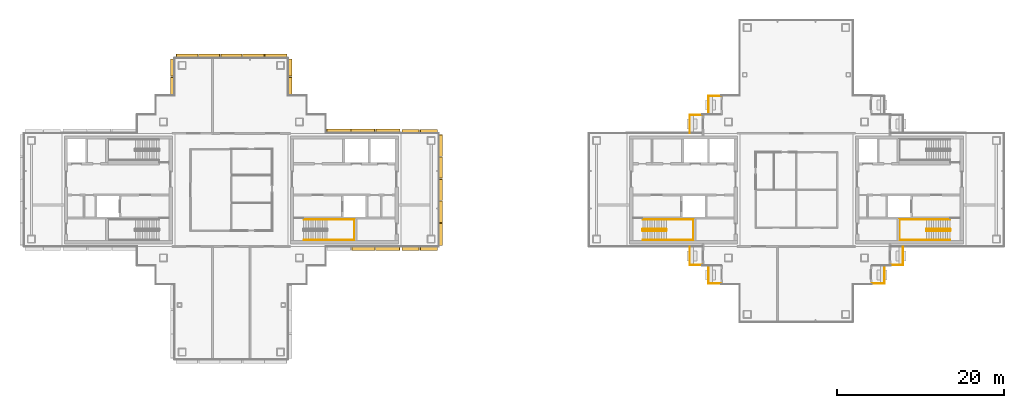
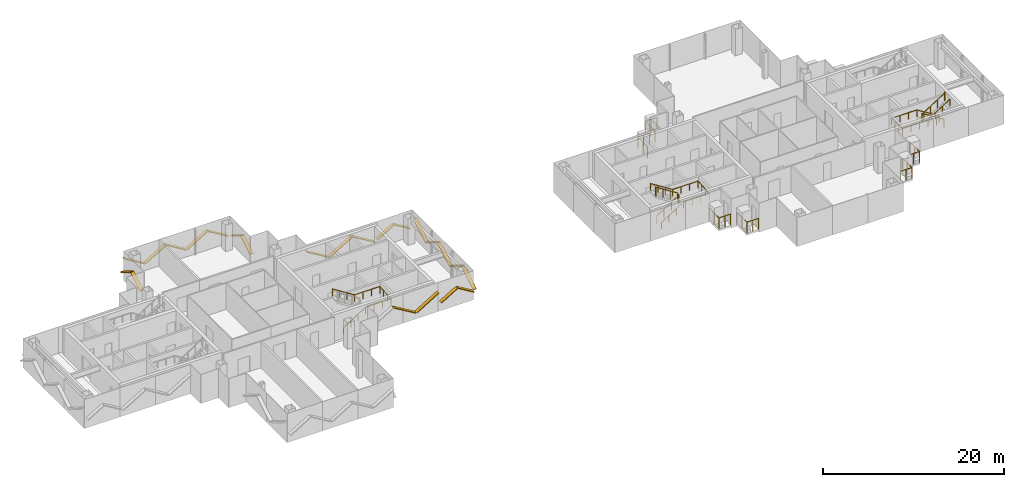
# One storey, part 15 of 17: 23 shading devices, 11 railings.
"""IFC4 building model written with IfcOpenShell, lengths in metres."""

from ifc_helpers import new_model, si_unit, direction, frame, origin, origin_2d, place, context, subcontext, project, spatial, rectangle, circle, extrude, material, material_profile, profile_set, type_object, element, save


model = new_model("IFC4")

# Units and contexts
model_context = context("Model", 3, precision=1e-05, world=origin(), true_north=direction((0.0, 1.0)))
body_context = subcontext(model_context, "Body", "Model", "MODEL_VIEW")
ifc_project = project(units=[si_unit("LENGTHUNIT", "METRE"), si_unit("AREAUNIT", "SQUARE_METRE"), si_unit("VOLUMEUNIT", "CUBIC_METRE"), si_unit("PLANEANGLEUNIT", "RADIAN"), si_unit("MASSUNIT", "GRAM", prefix="KILO")], contexts=[model_context])

# Site, building, storey
site_placement = place(None, origin())
site = spatial("IfcSite", under=ifc_project, at=site_placement, CompositionType="ELEMENT")
building_placement = place(site_placement, origin())
building = spatial("IfcBuilding", under=site, at=building_placement, Name="Shamsa Quay Exchange Towers", CompositionType="ELEMENT")
storey_placement = place(building_placement, frame((0.0, 0.0, 257.699951171875)))
storey = spatial("IfcBuildingStorey", under=building, at=storey_placement, Name="L62", CompositionType="ELEMENT", Elevation=257.699951171875)

# Railings
ifc_material_1 = material(Name="Steel S355, black powder-coated", Category="steel")
railing_type_1 = type_object("IfcRailingType", Name="BALCONY GUARD 1500", PredefinedType="GUARDRAIL", material=ifc_material_1)
for number, where, name in (
    (1, (24.72900390625, 11.199951171875, 0.0), "Balcony guard T2-PKEN L62"),
    (2, (22.47900390625, 8.949951171875, 0.0), "Balcony guard T2-PKEN L62"),
):
    element("IfcRailing", number, at=place(storey_placement, frame(where)), inside=storey, type_object=railing_type_1, Name=name, PredefinedType="GUARDRAIL", context=body_context, shape_type="SweptSolid", body=[
        extrude(circle(Radius=0.02392578125, at=origin_2d()), frame((0.0, 0.0, 1.47607421875), z_axis=(-1.0, 0.0, 0.0), x_axis=(0.0, -1.0, 0.0)), (0.0, 0.0, 1.0), 1.47900390625),
        extrude(circle(Radius=0.02392578125, at=origin_2d()), frame((-1.47900390625, 0.0, 1.47607421875), z_axis=(0.0, -1.0, 0.0), x_axis=(1.0, 0.0, 0.0)), (0.0, 0.0, 1.0), 2.161865234375),
        extrude(circle(Radius=0.02099609375, at=origin_2d()), origin(), (0.0, 0.0, 1.0), 1.451904296875),
        extrude(circle(Radius=0.02099609375, at=origin_2d()), frame((-0.739501953125, 0.0, 0.0)), (0.0, 0.0, 1.0), 1.451904296875),
        extrude(circle(Radius=0.02099609375, at=origin_2d()), frame((-1.47900390625, 0.0, 0.0)), (0.0, 0.0, 1.0), 1.451904296875),
        extrude(circle(Radius=0.02099609375, at=origin_2d()), frame((-1.47900390625, -1.0810546875, 0.0)), (0.0, 0.0, 1.0), 1.451904296875),
        extrude(circle(Radius=0.02099609375, at=origin_2d()), frame((-1.47900390625, -2.161865234375, 0.0)), (0.0, 0.0, 1.0), 1.451904296875),
    ])
for number, where, name in (
    (3, (21.0, -6.7880859375, 0.0), "Balcony guard T2-PKWN L62"),
    (4, (23.25, -9.0380859375, 0.0), "Balcony guard T2-PKWN L62"),
):
    element("IfcRailing", number, at=place(storey_placement, frame(where)), inside=storey, type_object=railing_type_1, Name=name, PredefinedType="GUARDRAIL", context=body_context, shape_type="SweptSolid", body=[
        extrude(circle(Radius=0.02392578125, at=origin_2d()), frame((0.0, 0.0, 1.47607421875), z_axis=(0.0, -1.0, 0.0), x_axis=(1.0, 0.0, 0.0)), (0.0, 0.0, 1.0), 2.161865234375),
        extrude(circle(Radius=0.02392578125, at=origin_2d()), frame((0.0, -2.161865234375, 1.47607421875), z_axis=(1.0, 0.0, 0.0), x_axis=(0.0, 1.0, 0.0)), (0.0, 0.0, 1.0), 1.47900390625),
        extrude(circle(Radius=0.02099609375, at=origin_2d()), origin(), (0.0, 0.0, 1.0), 1.451904296875),
        extrude(circle(Radius=0.02099609375, at=origin_2d()), frame((0.0, -1.0810546875, 0.0)), (0.0, 0.0, 1.0), 1.451904296875),
        extrude(circle(Radius=0.02099609375, at=origin_2d()), frame((0.0, -2.161865234375, 0.0)), (0.0, 0.0, 1.0), 1.451904296875),
        extrude(circle(Radius=0.02099609375, at=origin_2d()), frame((0.739501953125, -2.161865234375, 0.0)), (0.0, 0.0, 1.0), 1.451904296875),
        extrude(circle(Radius=0.02099609375, at=origin_2d()), frame((1.47900390625, -2.161865234375, 0.0)), (0.0, 0.0, 1.0), 1.451904296875),
    ])
for number, where, name in (
    (5, (42.77099609375, -11.199951171875, 0.0), "Balcony guard T2-PKWS L62"),
    (6, (45.02099609375, -8.949951171875, 0.0), "Balcony guard T2-PKWS L62"),
):
    element("IfcRailing", number, at=place(storey_placement, frame(where)), inside=storey, type_object=railing_type_1, Name=name, PredefinedType="GUARDRAIL", context=body_context, shape_type="SweptSolid", body=[
        extrude(circle(Radius=0.02392578125, at=origin_2d()), frame((0.0, 0.0, 1.47607421875), z_axis=(1.0, 0.0, 0.0), x_axis=(0.0, 1.0, 0.0)), (0.0, 0.0, 1.0), 1.47900390625),
        extrude(circle(Radius=0.02392578125, at=origin_2d()), frame((1.47900390625, 0.0, 1.47607421875), z_axis=(0.0, 1.0, 0.0), x_axis=(-1.0, 0.0, 0.0)), (0.0, 0.0, 1.0), 2.161865234375),
        extrude(circle(Radius=0.02099609375, at=origin_2d()), origin(), (0.0, 0.0, 1.0), 1.451904296875),
        extrude(circle(Radius=0.02099609375, at=origin_2d()), frame((0.739501953125, 0.0, 0.0)), (0.0, 0.0, 1.0), 1.451904296875),
        extrude(circle(Radius=0.02099609375, at=origin_2d()), frame((1.47900390625, 0.0, 0.0)), (0.0, 0.0, 1.0), 1.451904296875),
        extrude(circle(Radius=0.02099609375, at=origin_2d()), frame((1.47900390625, 1.0810546875, 0.0)), (0.0, 0.0, 1.0), 1.451904296875),
        extrude(circle(Radius=0.02099609375, at=origin_2d()), frame((1.47900390625, 2.161865234375, 0.0)), (0.0, 0.0, 1.0), 1.451904296875),
    ])

# Shading devices
ifc_material_2 = material(Name="Aluminium EN AW-6063 T6, black anodised", Category="aluminium")
ifc_material_profile = material_profile(ifc_material_2, rectangle(XDim=0.449951171875, YDim=0.10009765625, at=origin_2d()), Name="FIN450x100")
ifc_profile_set = profile_set([ifc_material_profile], Name="Aluminium EN AW-6063 T6, black anodised")
shading_device_type = type_object("IfcShadingDeviceType", Name="FIN 450x100 BLACK ALUMINIUM", PredefinedType="USERDEFINED", material=ifc_profile_set)
shading_device_1_placement = place(storey_placement, frame((-19.374755859375, -7.01904296875, 2.4375), z_axis=(0.857168152113, 0.0, -0.515036657922), x_axis=(0.0, 1.0, 0.0)))
element("IfcShadingDevice", 7, at=shading_device_1_placement, inside=storey, type_object=shading_device_type, Name="FIN T1 chevron rib", ObjectType="FIN", PredefinedType="USERDEFINED", context=body_context, shape_type="SweptSolid", body=[
    extrude(rectangle(XDim=0.449951171875, YDim=0.10009765625, at=origin_2d()), origin(), (0.0, 0.0, 1.0), 3.251708984375),
])
shading_device_2_placement = place(storey_placement, frame((-16.4873046875, -7.01904296875, 0.74755859375), z_axis=(0.857173881605, 0.0, 0.51502712229), x_axis=(0.0, 1.0, 0.0)))
element("IfcShadingDevice", 8, at=shading_device_2_placement, inside=storey, type_object=shading_device_type, Name="FIN T1 chevron rib", ObjectType="FIN", PredefinedType="USERDEFINED", context=body_context, shape_type="SweptSolid", body=[
    extrude(rectangle(XDim=0.449951171875, YDim=0.10009765625, at=origin_2d()), origin(), (0.0, 0.0, 1.0), 3.310302734375),
])
for number, where, z_axis, x_axis, name in (
    (9, (-13.35009765625, -7.014892578125, 0.984130859375), (0.857186526385, 0.0, 0.515006076648), (0.0, 1.0, 0.0), "FIN T1 chevron rib"),
    (10, (-11.199951171875, -7.014892578125, 2.2158203125), (0.857186526385, 0.0, -0.515006076648), (0.0, 1.0, 0.0), "FIN T1 chevron rib"),
):
    element("IfcShadingDevice", number, at=place(storey_placement, frame(where, z_axis=z_axis, x_axis=x_axis)), inside=storey, type_object=shading_device_type, Name=name, ObjectType="FIN", PredefinedType="USERDEFINED", context=body_context, shape_type="SweptSolid", body=[
        extrude(rectangle(XDim=0.449951171875, YDim=0.10009765625, at=origin_2d()), origin(), (0.0, 0.0, 1.0), 2.3916015625),
    ])
shading_device_3_placement = place(storey_placement, frame((-8.735107421875, -6.60009765625, 0.822021484375), z_axis=(0.0, 0.857186216295, 0.515006592767), x_axis=(-1.0, 0.0, 0.0)))
element("IfcShadingDevice", 11, at=shading_device_3_placement, inside=storey, type_object=shading_device_type, Name="FIN T1 chevron rib", ObjectType="FIN", PredefinedType="USERDEFINED", context=body_context, shape_type="SweptSolid", body=[
    extrude(rectangle(XDim=0.449951171875, YDim=0.10009765625, at=origin_2d()), origin(), (0.0, 0.0, 1.0), 3.021728515625),
])
for number, where, z_axis, x_axis, name in (
    (12, (-8.735107421875, -3.909912109375, 2.363037109375), (0.0, 0.857158316574, -0.515053026714), (-1.0, 0.0, 0.0), "FIN T1 chevron rib"),
    (13, (-8.735107421875, -1.27001953125, 0.8369140625), (0.0, 0.857180172053, 0.515016652778), (-1.0, 0.0, 0.0), "FIN T1 chevron rib"),
    (14, (-8.735107421875, 1.3701171875, 2.363037109375), (0.0, 0.857158316574, -0.515053026714), (-1.0, 0.0, 0.0), "FIN T1 chevron rib"),
):
    element("IfcShadingDevice", number, at=place(storey_placement, frame(where, z_axis=z_axis, x_axis=x_axis)), inside=storey, type_object=shading_device_type, Name=name, ObjectType="FIN", PredefinedType="USERDEFINED", context=body_context, shape_type="SweptSolid", body=[
        extrude(rectangle(XDim=0.449951171875, YDim=0.10009765625, at=origin_2d()), origin(), (0.0, 0.0, 1.0), 2.963134765625),
    ])
shading_device_4_placement = place(storey_placement, frame((-8.735107421875, 4.010009765625, 0.822021484375), z_axis=(0.0, 0.857186216295, 0.515006592767), x_axis=(-1.0, 0.0, 0.0)))
element("IfcShadingDevice", 15, at=shading_device_4_placement, inside=storey, type_object=shading_device_type, Name="FIN T1 chevron rib", ObjectType="FIN", PredefinedType="USERDEFINED", context=body_context, shape_type="SweptSolid", body=[
    extrude(rectangle(XDim=0.449951171875, YDim=0.10009765625, at=origin_2d()), origin(), (0.0, 0.0, 1.0), 3.021728515625),
])
for number, where, z_axis, x_axis, name in (
    (16, (-9.14990234375, 7.014892578125, 0.984130859375), (-0.857186526385, 0.0, 0.515006076648), (0.0, -1.0, 0.0), "FIN T1 chevron rib"),
    (17, (-11.300048828125, 7.014892578125, 2.2158203125), (-0.857186526385, 0.0, -0.515006076648), (0.0, -1.0, 0.0), "FIN T1 chevron rib"),
):
    element("IfcShadingDevice", number, at=place(storey_placement, frame(where, z_axis=z_axis, x_axis=x_axis)), inside=storey, type_object=shading_device_type, Name=name, ObjectType="FIN", PredefinedType="USERDEFINED", context=body_context, shape_type="SweptSolid", body=[
        extrude(rectangle(XDim=0.449951171875, YDim=0.10009765625, at=origin_2d()), origin(), (0.0, 0.0, 1.0), 2.3916015625),
    ])
shading_device_5_placement = place(storey_placement, frame((-13.64990234375, 7.01904296875, 0.743896484375), z_axis=(-0.857181785947, 0.0, 0.515013966646), x_axis=(0.0, -1.0, 0.0)))
element("IfcShadingDevice", 18, at=shading_device_5_placement, inside=storey, type_object=shading_device_type, Name="FIN T1 chevron rib", ObjectType="FIN", PredefinedType="USERDEFINED", context=body_context, shape_type="SweptSolid", body=[
    extrude(rectangle(XDim=0.449951171875, YDim=0.10009765625, at=origin_2d()), origin(), (0.0, 0.0, 1.0), 3.324951171875),
])
shading_device_6_placement = place(storey_placement, frame((-16.60009765625, 7.01904296875, 2.441162109375), z_axis=(-0.857156397537, 0.0, -0.515056220389), x_axis=(0.0, -1.0, 0.0)))
element("IfcShadingDevice", 19, at=shading_device_6_placement, inside=storey, type_object=shading_device_type, Name="FIN T1 chevron rib", ObjectType="FIN", PredefinedType="USERDEFINED", context=body_context, shape_type="SweptSolid", body=[
    extrude(rectangle(XDim=0.449951171875, YDim=0.10009765625, at=origin_2d()), origin(), (0.0, 0.0, 1.0), 3.266357421875),
])
shading_device_7_placement = place(storey_placement, frame((-19.5, 7.01904296875, 0.743896484375), z_axis=(-0.857181785947, 0.0, 0.515013966646), x_axis=(0.0, -1.0, 0.0)))
element("IfcShadingDevice", 20, at=shading_device_7_placement, inside=storey, type_object=shading_device_type, Name="FIN T1 chevron rib", ObjectType="FIN", PredefinedType="USERDEFINED", context=body_context, shape_type="SweptSolid", body=[
    extrude(rectangle(XDim=0.449951171875, YDim=0.10009765625, at=origin_2d()), origin(), (0.0, 0.0, 1.0), 3.324951171875),
])
for number, where, z_axis, x_axis, name in (
    (21, (-26.735107421875, 11.43798828125, 0.989990234375), (0.0, 0.857192750628, 0.51499571675), (-1.0, 0.0, 0.0), "FIN T1 chevron rib"),
    (22, (-26.735107421875, 13.569091796875, 2.210205078125), (0.0, 0.857192750628, -0.51499571675), (-1.0, 0.0, 0.0), "FIN T1 chevron rib"),
):
    element("IfcShadingDevice", number, at=place(storey_placement, frame(where, z_axis=z_axis, x_axis=x_axis)), inside=storey, type_object=shading_device_type, Name=name, ObjectType="FIN", PredefinedType="USERDEFINED", context=body_context, shape_type="SweptSolid", body=[
        extrude(rectangle(XDim=0.449951171875, YDim=0.10009765625, at=origin_2d()), origin(), (0.0, 0.0, 1.0), 2.369384765625),
    ])
shading_device_8_placement = place(storey_placement, frame((-27.14990234375, 16.014892578125, 0.822021484375), z_axis=(-0.857186216295, 0.0, 0.515006592767), x_axis=(0.0, -1.0, 0.0)))
element("IfcShadingDevice", 23, at=shading_device_8_placement, inside=storey, type_object=shading_device_type, Name="FIN T1 chevron rib", ObjectType="FIN", PredefinedType="USERDEFINED", context=body_context, shape_type="SweptSolid", body=[
    extrude(rectangle(XDim=0.449951171875, YDim=0.10009765625, at=origin_2d()), origin(), (0.0, 0.0, 1.0), 3.021728515625),
])
for number, where, z_axis, x_axis, name in (
    (24, (-29.840087890625, 16.014892578125, 2.363037109375), (-0.857158316574, 0.0, -0.515053026714), (0.0, -1.0, 0.0), "FIN T1 chevron rib"),
    (25, (-32.47998046875, 16.014892578125, 0.8369140625), (-0.857180172053, 0.0, 0.515016652778), (0.0, -1.0, 0.0), "FIN T1 chevron rib"),
    (26, (-35.1201171875, 16.014892578125, 2.363037109375), (-0.857158316574, 0.0, -0.515053026714), (0.0, -1.0, 0.0), "FIN T1 chevron rib"),
):
    element("IfcShadingDevice", number, at=place(storey_placement, frame(where, z_axis=z_axis, x_axis=x_axis)), inside=storey, type_object=shading_device_type, Name=name, ObjectType="FIN", PredefinedType="USERDEFINED", context=body_context, shape_type="SweptSolid", body=[
        extrude(rectangle(XDim=0.449951171875, YDim=0.10009765625, at=origin_2d()), origin(), (0.0, 0.0, 1.0), 2.963134765625),
    ])
shading_device_9_placement = place(storey_placement, frame((-37.760009765625, 16.014892578125, 0.822021484375), z_axis=(-0.857186216295, 0.0, 0.515006592767), x_axis=(0.0, -1.0, 0.0)))
element("IfcShadingDevice", 27, at=shading_device_9_placement, inside=storey, type_object=shading_device_type, Name="FIN T1 chevron rib", ObjectType="FIN", PredefinedType="USERDEFINED", context=body_context, shape_type="SweptSolid", body=[
    extrude(rectangle(XDim=0.449951171875, YDim=0.10009765625, at=origin_2d()), origin(), (0.0, 0.0, 1.0), 3.021728515625),
])
for number, where, z_axis, x_axis, name in (
    (28, (-40.764892578125, 15.60009765625, 0.984130859375), (0.0, -0.857186526385, 0.515006076648), (1.0, 0.0, 0.0), "FIN T1 chevron rib"),
    (29, (-40.764892578125, 13.449951171875, 2.2158203125), (0.0, -0.857186526385, -0.515006076648), (1.0, 0.0, 0.0), "FIN T1 chevron rib"),
):
    element("IfcShadingDevice", number, at=place(storey_placement, frame(where, z_axis=z_axis, x_axis=x_axis)), inside=storey, type_object=shading_device_type, Name=name, ObjectType="FIN", PredefinedType="USERDEFINED", context=body_context, shape_type="SweptSolid", body=[
        extrude(rectangle(XDim=0.449951171875, YDim=0.10009765625, at=origin_2d()), origin(), (0.0, 0.0, 1.0), 2.3916015625),
    ])

# Railings
ifc_material_3 = material(Name="Stainless steel", Category="steel")
railing_type_2 = type_object("IfcRailingType", Name="STAIR GUARD 1100", PredefinedType="GUARDRAIL", material=ifc_material_3)
railing_1_placement = place(storey_placement, frame((15.39990234375, -4.89990234375, 0.17724609375)))
element("IfcRailing", 30, at=railing_1_placement, inside=storey, type_object=railing_type_2, Name="L62 ST4 stair guard 1", PredefinedType="GUARDRAIL", context=body_context, shape_type="SweptSolid", body=[
    extrude(circle(Radius=0.02392578125, at=origin_2d()), frame((0.0, 0.0, 1.076171875), z_axis=(0.844908973607, 0.0, 0.534910110503), x_axis=(0.0, 1.0, 0.0)), (0.0, 0.0, 1.0), 3.31396484375),
    extrude(circle(Radius=0.02392578125, at=origin_2d()), frame((2.800048828125, 0.0, 2.8486328125), z_axis=(0.708833529934, 0.705375805398, 0.0), x_axis=(-0.705375805398, 0.708833529934, 0.0)), (0.0, 0.0, 1.0), 0.070556640625),
    extrude(circle(Radius=0.02392578125, at=origin_2d()), frame((2.85009765625, 0.0498046875, 2.8486328125), z_axis=(0.0, 1.0, 0.0), x_axis=(-1.0, 0.0, 0.0)), (0.0, 0.0, 1.0), 0.150146484375),
    extrude(circle(Radius=0.02392578125, at=origin_2d()), frame((2.85009765625, 0.199951171875, 2.8486328125), z_axis=(-0.261922500866, 0.261922500866, 0.928866625022), x_axis=(-0.707106781187, -0.707106781187, 0.0)), (0.0, 0.0, 1.0), 0.191162109375),
    extrude(circle(Radius=0.02392578125, at=origin_2d()), frame((2.800048828125, 0.25, 3.0263671875), z_axis=(-0.844908973607, 0.0, 0.534910110503), x_axis=(0.0, -1.0, 0.0)), (0.0, 0.0, 1.0), 3.31396484375),
    extrude(circle(Radius=0.02392578125, at=origin_2d()), frame((0.0, 0.25, 4.798828125), z_axis=(-0.24142163986, -0.970420317083, 0.0), x_axis=(0.970420317083, -0.24142163986, 0.0)), (0.0, 0.0, 1.0), 0.206298828125),
    extrude(circle(Radius=0.02392578125, at=origin_2d()), frame((-0.0498046875, 0.0498046875, 4.798828125), z_axis=(0.0, 1.0, 0.0), x_axis=(-1.0, 0.0, 0.0)), (0.0, 0.0, 1.0), 0.150146484375),
    extrude(circle(Radius=0.02099609375, at=origin_2d()), origin(), (0.0, 0.0, 1.0), 1.052001953125),
    extrude(circle(Radius=0.02099609375, at=origin_2d()), frame((0.933349609375, 0.0, 0.5908203125)), (0.0, 0.0, 1.0), 1.052001953125),
    extrude(circle(Radius=0.02099609375, at=origin_2d()), frame((1.86669921875, 0.0, 1.181884765625)), (0.0, 0.0, 1.0), 1.052001953125),
    extrude(circle(Radius=0.02099609375, at=origin_2d()), frame((2.800048828125, 0.0, 1.772705078125)), (0.0, 0.0, 1.0), 1.052001953125),
    extrude(circle(Radius=0.02099609375, at=origin_2d()), frame((2.85009765625, 0.0498046875, 1.772705078125)), (0.0, 0.0, 1.0), 1.052001953125),
    extrude(circle(Radius=0.02099609375, at=origin_2d()), frame((2.85009765625, 0.199951171875, 1.772705078125)), (0.0, 0.0, 1.0), 1.052001953125),
    extrude(circle(Radius=0.02099609375, at=origin_2d()), frame((2.800048828125, 0.25, 1.9501953125)), (0.0, 0.0, 1.0), 1.052001953125),
    extrude(circle(Radius=0.02099609375, at=origin_2d()), frame((1.86669921875, 0.25, 2.541015625)), (0.0, 0.0, 1.0), 1.052001953125),
    extrude(circle(Radius=0.02099609375, at=origin_2d()), frame((0.933349609375, 0.25, 3.132080078125)), (0.0, 0.0, 1.0), 1.052001953125),
    extrude(circle(Radius=0.02099609375, at=origin_2d()), frame((0.0, 0.25, 3.722900390625)), (0.0, 0.0, 1.0), 1.052001953125),
    extrude(circle(Radius=0.02099609375, at=origin_2d()), frame((-0.0498046875, 0.0498046875, 3.722900390625)), (0.0, 0.0, 1.0), 1.052001953125),
    extrude(circle(Radius=0.02099609375, at=origin_2d()), frame((-0.0498046875, 0.199951171875, 3.722900390625)), (0.0, 0.0, 1.0), 1.052001953125),
])
railing_2_placement = place(storey_placement, frame((52.10009765625, -4.64990234375, 0.17724609375)))
element("IfcRailing", 31, at=railing_2_placement, inside=storey, type_object=railing_type_2, Name="L62 ST5 stair guard 1", PredefinedType="GUARDRAIL", context=body_context, shape_type="SweptSolid", body=[
    extrude(circle(Radius=0.02392578125, at=origin_2d()), frame((0.0, 0.0, 1.076171875), z_axis=(-0.844908973607, 0.0, 0.534910110503), x_axis=(0.0, -1.0, 0.0)), (0.0, 0.0, 1.0), 3.31396484375),
    extrude(circle(Radius=0.02392578125, at=origin_2d()), frame((-2.800048828125, 0.0, 2.8486328125), z_axis=(-0.707106781187, -0.707106781187, 0.0), x_axis=(0.707106781187, -0.707106781187, 0.0)), (0.0, 0.0, 1.0), 0.07080078125),
    extrude(circle(Radius=0.02392578125, at=origin_2d()), frame((-2.85009765625, -0.050048828125, 2.8486328125), z_axis=(0.0, -1.0, 0.0), x_axis=(1.0, 0.0, 0.0)), (0.0, 0.0, 1.0), 0.150146484375),
    extrude(circle(Radius=0.02392578125, at=origin_2d()), frame((-2.85009765625, -0.2001953125, 2.8486328125), z_axis=(0.262009983441, -0.260731885961, 0.929176868105), x_axis=(0.705375805398, 0.708833529934, 0.0)), (0.0, 0.0, 1.0), 0.19091796875),
    extrude(circle(Radius=0.02392578125, at=origin_2d()), frame((-2.800048828125, -0.25, 3.0263671875), z_axis=(0.844908973607, 0.0, 0.534910110503), x_axis=(0.0, 1.0, 0.0)), (0.0, 0.0, 1.0), 3.31396484375),
    extrude(circle(Radius=0.02392578125, at=origin_2d()), frame((0.0, -0.25, 4.798828125), z_axis=(0.241699205484, 0.970351222016, 0.0), x_axis=(-0.970351222016, 0.241699205484, 0.0)), (0.0, 0.0, 1.0), 0.2060546875),
    extrude(circle(Radius=0.02392578125, at=origin_2d()), frame((0.0498046875, -0.050048828125, 4.798828125), z_axis=(0.0, -1.0, 0.0), x_axis=(1.0, 0.0, 0.0)), (0.0, 0.0, 1.0), 0.150146484375),
    extrude(circle(Radius=0.02099609375, at=origin_2d()), origin(), (0.0, 0.0, 1.0), 1.052001953125),
    extrude(circle(Radius=0.02099609375, at=origin_2d()), frame((-0.933349609375, 0.0, 0.5908203125)), (0.0, 0.0, 1.0), 1.052001953125),
    extrude(circle(Radius=0.02099609375, at=origin_2d()), frame((-1.86669921875, 0.0, 1.181884765625)), (0.0, 0.0, 1.0), 1.052001953125),
    extrude(circle(Radius=0.02099609375, at=origin_2d()), frame((-2.800048828125, 0.0, 1.772705078125)), (0.0, 0.0, 1.0), 1.052001953125),
    extrude(circle(Radius=0.02099609375, at=origin_2d()), frame((-2.85009765625, -0.050048828125, 1.772705078125)), (0.0, 0.0, 1.0), 1.052001953125),
    extrude(circle(Radius=0.02099609375, at=origin_2d()), frame((-2.85009765625, -0.2001953125, 1.772705078125)), (0.0, 0.0, 1.0), 1.052001953125),
    extrude(circle(Radius=0.02099609375, at=origin_2d()), frame((-2.800048828125, -0.25, 1.9501953125)), (0.0, 0.0, 1.0), 1.052001953125),
    extrude(circle(Radius=0.02099609375, at=origin_2d()), frame((-1.86669921875, -0.25, 2.541015625)), (0.0, 0.0, 1.0), 1.052001953125),
    extrude(circle(Radius=0.02099609375, at=origin_2d()), frame((-0.933349609375, -0.25, 3.132080078125)), (0.0, 0.0, 1.0), 1.052001953125),
    extrude(circle(Radius=0.02099609375, at=origin_2d()), frame((0.0, -0.25, 3.722900390625)), (0.0, 0.0, 1.0), 1.052001953125),
    extrude(circle(Radius=0.02099609375, at=origin_2d()), frame((0.0498046875, -0.050048828125, 3.722900390625)), (0.0, 0.0, 1.0), 1.052001953125),
    extrude(circle(Radius=0.02099609375, at=origin_2d()), frame((0.0498046875, -0.2001953125, 3.722900390625)), (0.0, 0.0, 1.0), 1.052001953125),
])
railing_type_3 = type_object("IfcRailingType", Name="STAIR HANDRAIL 900", PredefinedType="HANDRAIL", material=ifc_material_3)
railing_3_placement = place(storey_placement, frame((-25.10009765625, -6.0, 0.17724609375)))
element("IfcRailing", 32, at=railing_3_placement, inside=storey, type_object=railing_type_3, Name="L62 ST1 stair handrail 1", PredefinedType="HANDRAIL", context=body_context, shape_type="SweptSolid", body=[
    extrude(circle(Radius=0.02392578125, at=origin_2d()), frame((0.0, 0.0, 0.8759765625), z_axis=(0.844908973607, 0.0, 0.534910110503), x_axis=(0.0, 1.0, 0.0)), (0.0, 0.0, 1.0), 3.31396484375),
    extrude(circle(Radius=0.02392578125, at=origin_2d()), frame((2.800048828125, 0.0, 2.6484375), z_axis=(1.0, 0.0, 0.0), x_axis=(0.0, 1.0, 0.0)), (0.0, 0.0, 1.0), 3.25),
    extrude(circle(Radius=0.02392578125, at=origin_2d()), frame((6.050048828125, 0.0, 2.6484375), z_axis=(0.0, 0.997386041853, 0.072257065513), x_axis=(-1.0, 0.0, 0.0)), (0.0, 0.0, 1.0), 2.456298828125),
    extrude(circle(Radius=0.02392578125, at=origin_2d()), frame((6.050048828125, 2.449951171875, 2.826171875), z_axis=(-1.0, 0.0, 0.0), x_axis=(0.0, -1.0, 0.0)), (0.0, 0.0, 1.0), 3.25),
    extrude(circle(Radius=0.02392578125, at=origin_2d()), frame((2.800048828125, 2.449951171875, 2.826171875), z_axis=(-0.844908973607, 0.0, 0.534910110503), x_axis=(0.0, -1.0, 0.0)), (0.0, 0.0, 1.0), 3.31396484375),
    extrude(circle(Radius=0.02099609375, at=origin_2d()), origin(), (0.0, 0.0, 1.0), 0.851806640625),
    extrude(circle(Radius=0.02099609375, at=origin_2d()), frame((0.933349609375, 0.0, 0.5908203125)), (0.0, 0.0, 1.0), 0.851806640625),
    extrude(circle(Radius=0.02099609375, at=origin_2d()), frame((1.86669921875, 0.0, 1.181884765625)), (0.0, 0.0, 1.0), 0.851806640625),
    extrude(circle(Radius=0.02099609375, at=origin_2d()), frame((2.800048828125, 0.0, 1.772705078125)), (0.0, 0.0, 1.0), 0.851806640625),
    extrude(circle(Radius=0.02099609375, at=origin_2d()), frame((3.88330078125, 0.0, 1.772705078125)), (0.0, 0.0, 1.0), 0.851806640625),
    extrude(circle(Radius=0.02099609375, at=origin_2d()), frame((4.966796875, 0.0, 1.772705078125)), (0.0, 0.0, 1.0), 0.851806640625),
    extrude(circle(Radius=0.02099609375, at=origin_2d()), frame((6.050048828125, 0.0, 1.772705078125)), (0.0, 0.0, 1.0), 0.851806640625),
    extrude(circle(Radius=0.02099609375, at=origin_2d()), frame((6.050048828125, 0.816650390625, 1.831787109375)), (0.0, 0.0, 1.0), 0.851806640625),
    extrude(circle(Radius=0.02099609375, at=origin_2d()), frame((6.050048828125, 1.63330078125, 1.89111328125)), (0.0, 0.0, 1.0), 0.851806640625),
    extrude(circle(Radius=0.02099609375, at=origin_2d()), frame((6.050048828125, 2.449951171875, 1.9501953125)), (0.0, 0.0, 1.0), 0.851806640625),
    extrude(circle(Radius=0.02099609375, at=origin_2d()), frame((4.966796875, 2.449951171875, 1.9501953125)), (0.0, 0.0, 1.0), 0.851806640625),
    extrude(circle(Radius=0.02099609375, at=origin_2d()), frame((3.88330078125, 2.449951171875, 1.9501953125)), (0.0, 0.0, 1.0), 0.851806640625),
    extrude(circle(Radius=0.02099609375, at=origin_2d()), frame((2.800048828125, 2.449951171875, 1.9501953125)), (0.0, 0.0, 1.0), 0.851806640625),
    extrude(circle(Radius=0.02099609375, at=origin_2d()), frame((1.86669921875, 2.449951171875, 2.541015625)), (0.0, 0.0, 1.0), 0.851806640625),
    extrude(circle(Radius=0.02099609375, at=origin_2d()), frame((0.933349609375, 2.449951171875, 3.132080078125)), (0.0, 0.0, 1.0), 0.851806640625),
    extrude(circle(Radius=0.02099609375, at=origin_2d()), frame((0.0, 2.449951171875, 3.722900390625)), (0.0, 0.0, 1.0), 0.851806640625),
])
railing_4_placement = place(storey_placement, frame((15.39990234375, -6.0, 0.17724609375)))
element("IfcRailing", 33, at=railing_4_placement, inside=storey, type_object=railing_type_3, Name="L62 ST4 stair handrail 1", PredefinedType="HANDRAIL", context=body_context, shape_type="SweptSolid", body=[
    extrude(circle(Radius=0.02392578125, at=origin_2d()), frame((0.0, 0.0, 0.8759765625), z_axis=(0.844908973607, 0.0, 0.534910110503), x_axis=(0.0, 1.0, 0.0)), (0.0, 0.0, 1.0), 3.31396484375),
    extrude(circle(Radius=0.02392578125, at=origin_2d()), frame((2.800048828125, 0.0, 2.6484375), z_axis=(1.0, 0.0, 0.0), x_axis=(0.0, 1.0, 0.0)), (0.0, 0.0, 1.0), 3.25),
    extrude(circle(Radius=0.02392578125, at=origin_2d()), frame((6.050048828125, 0.0, 2.6484375), z_axis=(0.0, 0.997386041853, 0.072257065513), x_axis=(-1.0, 0.0, 0.0)), (0.0, 0.0, 1.0), 2.456298828125),
    extrude(circle(Radius=0.02392578125, at=origin_2d()), frame((6.050048828125, 2.449951171875, 2.826171875), z_axis=(-1.0, 0.0, 0.0), x_axis=(0.0, -1.0, 0.0)), (0.0, 0.0, 1.0), 3.25),
    extrude(circle(Radius=0.02392578125, at=origin_2d()), frame((2.800048828125, 2.449951171875, 2.826171875), z_axis=(-0.844908973607, 0.0, 0.534910110503), x_axis=(0.0, -1.0, 0.0)), (0.0, 0.0, 1.0), 3.31396484375),
    extrude(circle(Radius=0.02099609375, at=origin_2d()), origin(), (0.0, 0.0, 1.0), 0.851806640625),
    extrude(circle(Radius=0.02099609375, at=origin_2d()), frame((0.933349609375, 0.0, 0.5908203125)), (0.0, 0.0, 1.0), 0.851806640625),
    extrude(circle(Radius=0.02099609375, at=origin_2d()), frame((1.86669921875, 0.0, 1.181884765625)), (0.0, 0.0, 1.0), 0.851806640625),
    extrude(circle(Radius=0.02099609375, at=origin_2d()), frame((2.800048828125, 0.0, 1.772705078125)), (0.0, 0.0, 1.0), 0.851806640625),
    extrude(circle(Radius=0.02099609375, at=origin_2d()), frame((3.88330078125, 0.0, 1.772705078125)), (0.0, 0.0, 1.0), 0.851806640625),
    extrude(circle(Radius=0.02099609375, at=origin_2d()), frame((4.966796875, 0.0, 1.772705078125)), (0.0, 0.0, 1.0), 0.851806640625),
    extrude(circle(Radius=0.02099609375, at=origin_2d()), frame((6.050048828125, 0.0, 1.772705078125)), (0.0, 0.0, 1.0), 0.851806640625),
    extrude(circle(Radius=0.02099609375, at=origin_2d()), frame((6.050048828125, 0.816650390625, 1.831787109375)), (0.0, 0.0, 1.0), 0.851806640625),
    extrude(circle(Radius=0.02099609375, at=origin_2d()), frame((6.050048828125, 1.63330078125, 1.89111328125)), (0.0, 0.0, 1.0), 0.851806640625),
    extrude(circle(Radius=0.02099609375, at=origin_2d()), frame((6.050048828125, 2.449951171875, 1.9501953125)), (0.0, 0.0, 1.0), 0.851806640625),
    extrude(circle(Radius=0.02099609375, at=origin_2d()), frame((4.966796875, 2.449951171875, 1.9501953125)), (0.0, 0.0, 1.0), 0.851806640625),
    extrude(circle(Radius=0.02099609375, at=origin_2d()), frame((3.88330078125, 2.449951171875, 1.9501953125)), (0.0, 0.0, 1.0), 0.851806640625),
    extrude(circle(Radius=0.02099609375, at=origin_2d()), frame((2.800048828125, 2.449951171875, 1.9501953125)), (0.0, 0.0, 1.0), 0.851806640625),
    extrude(circle(Radius=0.02099609375, at=origin_2d()), frame((1.86669921875, 2.449951171875, 2.541015625)), (0.0, 0.0, 1.0), 0.851806640625),
    extrude(circle(Radius=0.02099609375, at=origin_2d()), frame((0.933349609375, 2.449951171875, 3.132080078125)), (0.0, 0.0, 1.0), 0.851806640625),
    extrude(circle(Radius=0.02099609375, at=origin_2d()), frame((0.0, 2.449951171875, 3.722900390625)), (0.0, 0.0, 1.0), 0.851806640625),
])
railing_5_placement = place(storey_placement, frame((52.10009765625, -3.550048828125, 0.17724609375)))
element("IfcRailing", 34, at=railing_5_placement, inside=storey, type_object=railing_type_3, Name="L62 ST5 stair handrail 1", PredefinedType="HANDRAIL", context=body_context, shape_type="SweptSolid", body=[
    extrude(circle(Radius=0.02392578125, at=origin_2d()), frame((0.0, 0.0, 0.8759765625), z_axis=(-0.844908973607, 0.0, 0.534910110503), x_axis=(0.0, -1.0, 0.0)), (0.0, 0.0, 1.0), 3.31396484375),
    extrude(circle(Radius=0.02392578125, at=origin_2d()), frame((-2.800048828125, 0.0, 2.6484375), z_axis=(-1.0, 0.0, 0.0), x_axis=(0.0, -1.0, 0.0)), (0.0, 0.0, 1.0), 3.25),
    extrude(circle(Radius=0.02392578125, at=origin_2d()), frame((-6.050048828125, 0.0, 2.6484375), z_axis=(0.0, -0.997386041853, 0.072257065513), x_axis=(1.0, 0.0, 0.0)), (0.0, 0.0, 1.0), 2.456298828125),
    extrude(circle(Radius=0.02392578125, at=origin_2d()), frame((-6.050048828125, -2.449951171875, 2.826171875), z_axis=(1.0, 0.0, 0.0), x_axis=(0.0, 1.0, 0.0)), (0.0, 0.0, 1.0), 3.25),
    extrude(circle(Radius=0.02392578125, at=origin_2d()), frame((-2.800048828125, -2.449951171875, 2.826171875), z_axis=(0.844908973607, 0.0, 0.534910110503), x_axis=(0.0, 1.0, 0.0)), (0.0, 0.0, 1.0), 3.31396484375),
    extrude(circle(Radius=0.02099609375, at=origin_2d()), origin(), (0.0, 0.0, 1.0), 0.851806640625),
    extrude(circle(Radius=0.02099609375, at=origin_2d()), frame((-0.933349609375, 0.0, 0.5908203125)), (0.0, 0.0, 1.0), 0.851806640625),
    extrude(circle(Radius=0.02099609375, at=origin_2d()), frame((-1.86669921875, 0.0, 1.181884765625)), (0.0, 0.0, 1.0), 0.851806640625),
    extrude(circle(Radius=0.02099609375, at=origin_2d()), frame((-2.800048828125, 0.0, 1.772705078125)), (0.0, 0.0, 1.0), 0.851806640625),
    extrude(circle(Radius=0.02099609375, at=origin_2d()), frame((-3.88330078125, 0.0, 1.772705078125)), (0.0, 0.0, 1.0), 0.851806640625),
    extrude(circle(Radius=0.02099609375, at=origin_2d()), frame((-4.966796875, 0.0, 1.772705078125)), (0.0, 0.0, 1.0), 0.851806640625),
    extrude(circle(Radius=0.02099609375, at=origin_2d()), frame((-6.050048828125, 0.0, 1.772705078125)), (0.0, 0.0, 1.0), 0.851806640625),
    extrude(circle(Radius=0.02099609375, at=origin_2d()), frame((-6.050048828125, -0.816650390625, 1.831787109375)), (0.0, 0.0, 1.0), 0.851806640625),
    extrude(circle(Radius=0.02099609375, at=origin_2d()), frame((-6.050048828125, -1.63330078125, 1.89111328125)), (0.0, 0.0, 1.0), 0.851806640625),
    extrude(circle(Radius=0.02099609375, at=origin_2d()), frame((-6.050048828125, -2.449951171875, 1.9501953125)), (0.0, 0.0, 1.0), 0.851806640625),
    extrude(circle(Radius=0.02099609375, at=origin_2d()), frame((-4.966796875, -2.449951171875, 1.9501953125)), (0.0, 0.0, 1.0), 0.851806640625),
    extrude(circle(Radius=0.02099609375, at=origin_2d()), frame((-3.88330078125, -2.449951171875, 1.9501953125)), (0.0, 0.0, 1.0), 0.851806640625),
    extrude(circle(Radius=0.02099609375, at=origin_2d()), frame((-2.800048828125, -2.449951171875, 1.9501953125)), (0.0, 0.0, 1.0), 0.851806640625),
    extrude(circle(Radius=0.02099609375, at=origin_2d()), frame((-1.86669921875, -2.449951171875, 2.541015625)), (0.0, 0.0, 1.0), 0.851806640625),
    extrude(circle(Radius=0.02099609375, at=origin_2d()), frame((-0.933349609375, -2.449951171875, 3.132080078125)), (0.0, 0.0, 1.0), 0.851806640625),
    extrude(circle(Radius=0.02099609375, at=origin_2d()), frame((0.0, -2.449951171875, 3.722900390625)), (0.0, 0.0, 1.0), 0.851806640625),
])

save(model, "model.ifc")
